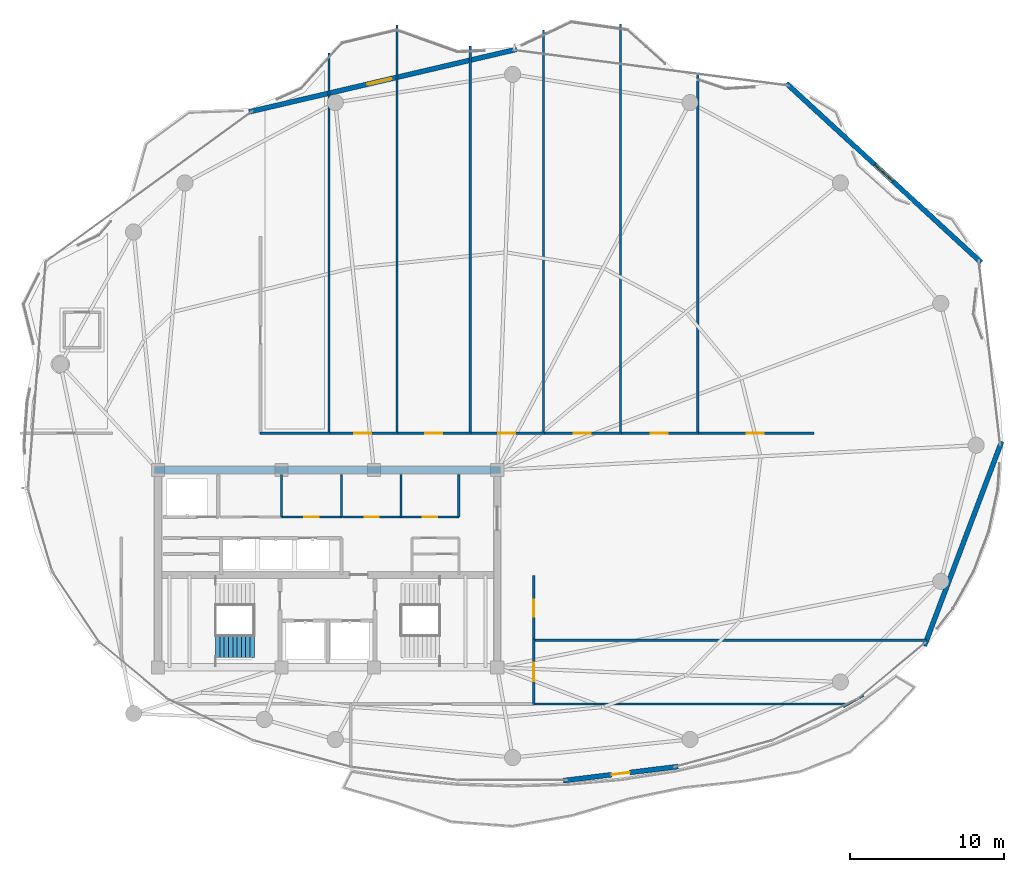
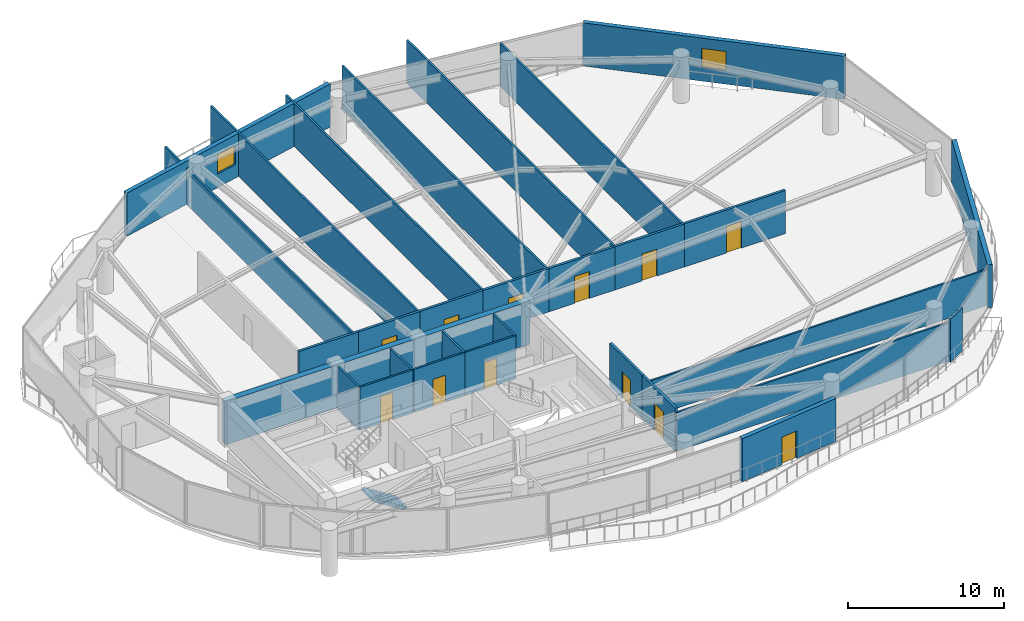
# One storey, part 26 of 30: 30 walls, 12 doors, 2 windows, 1 stair flight, 14 openings, 1 element without a shape of its own.
"""IFC4 building model written with IfcOpenShell, lengths in metres."""

from ifc_helpers import new_model, si_unit, direction, frame, frame_2d, origin, place, context, subcontext, project, spatial, polyline, rectangle, outline, extrude, material, layer, layer_set, type_object, element, fill, aggregate, save


model = new_model("IFC4")

# Units and contexts
model_context = context("Model", 3, precision=1e-05, world=origin(), true_north=direction((0.0, 1.0)))
body_context = subcontext(model_context, "Body", "Model", "MODEL_VIEW")
ifc_project = project(units=[si_unit("LENGTHUNIT", "METRE"), si_unit("AREAUNIT", "SQUARE_METRE"), si_unit("VOLUMEUNIT", "CUBIC_METRE"), si_unit("PLANEANGLEUNIT", "RADIAN"), si_unit("MASSUNIT", "GRAM", prefix="KILO")], contexts=[model_context])

# Site, building, storey
site_placement = place(None, origin())
site = spatial("IfcSite", under=ifc_project, at=site_placement, CompositionType="ELEMENT")
building_placement = place(site_placement, origin())
building = spatial("IfcBuilding", under=site, at=building_placement, Name="Kazevale Care Tower and Concert Hall", CompositionType="ELEMENT")
storey_placement = place(building_placement, frame((0.0, 0.0, 242.39990234375)))
storey = spatial("IfcBuildingStorey", under=building, at=storey_placement, Name="L64", CompositionType="ELEMENT", Elevation=242.39990234375)

# Wall, opening, door
ifc_material_1 = material(Name="Acoustic Gypsum on Steel Stud", Category="steel")
ifc_layer_1 = layer(ifc_material_1, 0.139892578125)
ifc_layer_set_1 = layer_set([ifc_layer_1], Name="Acoustic Gypsum on Steel Stud")
wall_type_1 = type_object("IfcWallType", Name="Acoustic Care & Suite Partition 140", PredefinedType="PARTITIONING", material=ifc_layer_set_1)
wall_1_placement = place(storey_placement, frame((30.0, 33.35009765625, 0.0), z_axis=(0.0, 0.0, 1.0), x_axis=(1.0, 0.0, 0.0)))
wall_1 = element("IfcWall", 1, at=wall_1_placement, inside=storey, type_object=wall_type_1, Name="wall:L64:c_rpl2_s", PredefinedType="PARTITIONING", context=body_context, shape_type="SweptSolid", body=[
    extrude(rectangle(XDim=3.919921875, YDim=0.139892578125, at=frame_2d((1.9599609375, 0.0))), origin(), (0.0, 0.0, 1.0), 3.360107421875),
])
opening_1_placement = place(wall_1_placement, frame((1.5, 0.0, 0.0)))
opening_1 = element("IfcOpeningElement", 2, at=opening_1_placement, cuts=wall_1, Name="Opening ID-900", PredefinedType="OPENING", context=body_context, shape_type="SweptSolid", body=[
    extrude(rectangle(XDim=0.919921875, YDim=2.10009765625, at=frame_2d((0.4599609375, 1.050048828125))), frame((0.0, 0.079833984375, 0.0), z_axis=(0.0, -1.0, 0.0), x_axis=(1.0, 0.0, 0.0)), (0.0, 0.0, 1.0), 0.159912109375),
])
ifc_material_2 = material(Name="Oak Timber Fire Leaf", Category="wood")
door_type_1 = type_object("IfcDoorType", Name="Bathroom & Service Door 920x2100", OperationType="NOTDEFINED", PredefinedType="DOOR", material=ifc_material_2)
door_1_placement = place(opening_1_placement, origin())
door_1 = element("IfcDoor", 3, at=door_1_placement, inside=storey, type_object=door_type_1, Name="door:L64:d_rpl2", OperationType="SINGLE_SWING_RIGHT", OverallHeight=2.10009765625, OverallWidth=0.919921875, PredefinedType="DOOR", context=body_context, shape_type="SweptSolid", body=[
    extrude(rectangle(XDim=0.919921875, YDim=2.10009765625, at=frame_2d((0.4599609375, 1.050048828125))), frame((0.0, 0.02490234375, 0.0), z_axis=(0.0, -1.0, 0.0), x_axis=(1.0, 0.0, 0.0)), (0.0, 0.0, 1.0), 0.050048828125),
])
fill(opening_1, door_1)

# Walls
for number, where, z_axis, x_axis, name in (
    (4, (30.0, 33.35009765625, 0.0), (0.0, 0.0, 1.0), (0.0, 1.0, 0.0), "wall:L64:c_rpl_m"),
    (5, (33.89990234375, 33.35009765625, 0.0), (0.0, 0.0, 1.0), (0.0, 1.0, 0.0), "wall:L64:c_rpl_e"),
):
    element("IfcWall", number, at=place(storey_placement, frame(where, z_axis=z_axis, x_axis=x_axis)), inside=storey, type_object=wall_type_1, Name=name, PredefinedType="PARTITIONING", context=body_context, shape_type="SweptSolid", body=[
        extrude(rectangle(XDim=2.75, YDim=0.139892578125, at=frame_2d((1.375, 0.0))), origin(), (0.0, 0.0, 1.0), 3.360107421875),
    ])

# Wall, opening, door
wall_2_placement = place(storey_placement, frame((33.97998046875, 33.35009765625, 0.0), z_axis=(0.0, 0.0, 1.0), x_axis=(1.0, 0.0, 0.0)))
wall_2 = element("IfcWall", 6, at=wall_2_placement, inside=storey, type_object=wall_type_1, Name="wall:L64:c_rpm1_s", PredefinedType="PARTITIONING", context=body_context, shape_type="SweptSolid", body=[
    extrude(rectangle(XDim=3.77001953125, YDim=0.139892578125, at=frame_2d((1.885009765625, 0.0))), origin(), (0.0, 0.0, 1.0), 3.360107421875),
])
opening_2_placement = place(wall_2_placement, frame((1.425048828125, 0.0, 0.0)))
opening_2 = element("IfcOpeningElement", 7, at=opening_2_placement, cuts=wall_2, Name="Opening ID-900", PredefinedType="OPENING", context=body_context, shape_type="SweptSolid", body=[
    extrude(rectangle(XDim=0.919921875, YDim=2.10009765625, at=frame_2d((0.4599609375, 1.050048828125))), frame((0.0, 0.079833984375, 0.0), z_axis=(0.0, -1.0, 0.0), x_axis=(1.0, 0.0, 0.0)), (0.0, 0.0, 1.0), 0.159912109375),
])
door_2_placement = place(opening_2_placement, origin())
door_2 = element("IfcDoor", 8, at=door_2_placement, inside=storey, type_object=door_type_1, Name="door:L64:d_rpm1", OperationType="SINGLE_SWING_LEFT", OverallHeight=2.10009765625, OverallWidth=0.919921875, PredefinedType="DOOR", context=body_context, shape_type="SweptSolid", body=[
    extrude(rectangle(XDim=0.919921875, YDim=2.10009765625, at=frame_2d((0.4599609375, 1.050048828125))), frame((0.0, 0.02490234375, 0.0), z_axis=(0.0, -1.0, 0.0), x_axis=(1.0, 0.0, 0.0)), (0.0, 0.0, 1.0), 0.050048828125),
])
fill(opening_2, door_2)

wall_3_placement = place(storey_placement, frame((37.75, 33.35009765625, 0.0), z_axis=(0.0, 0.0, 1.0), x_axis=(1.0, 0.0, 0.0)))
wall_3 = element("IfcWall", 9, at=wall_3_placement, inside=storey, type_object=wall_type_1, Name="wall:L64:c_rpm2_s", PredefinedType="PARTITIONING", context=body_context, shape_type="SweptSolid", body=[
    extrude(rectangle(XDim=3.77001953125, YDim=0.139892578125, at=frame_2d((1.885009765625, 0.0))), origin(), (0.0, 0.0, 1.0), 3.360107421875),
])
opening_3_placement = place(wall_3_placement, frame((1.425048828125, 0.0, 0.0)))
opening_3 = element("IfcOpeningElement", 10, at=opening_3_placement, cuts=wall_3, Name="Opening ID-900", PredefinedType="OPENING", context=body_context, shape_type="SweptSolid", body=[
    extrude(rectangle(XDim=0.919921875, YDim=2.10009765625, at=frame_2d((0.4599609375, 1.050048828125))), frame((0.0, 0.079833984375, 0.0), z_axis=(0.0, -1.0, 0.0), x_axis=(1.0, 0.0, 0.0)), (0.0, 0.0, 1.0), 0.159912109375),
])
door_3_placement = place(opening_3_placement, origin())
door_3 = element("IfcDoor", 11, at=door_3_placement, inside=storey, type_object=door_type_1, Name="door:L64:d_rpm2", OperationType="SINGLE_SWING_RIGHT", OverallHeight=2.10009765625, OverallWidth=0.919921875, PredefinedType="DOOR", context=body_context, shape_type="SweptSolid", body=[
    extrude(rectangle(XDim=0.919921875, YDim=2.10009765625, at=frame_2d((0.4599609375, 1.050048828125))), frame((0.0, 0.02490234375, 0.0), z_axis=(0.0, -1.0, 0.0), x_axis=(1.0, 0.0, 0.0)), (0.0, 0.0, 1.0), 0.050048828125),
])
fill(opening_3, door_3)

# Walls
for number, where, z_axis, x_axis, name in (
    (12, (37.75, 33.35009765625, 0.0), (0.0, 0.0, 1.0), (0.0, 1.0, 0.0), "wall:L64:c_rpm_m"),
    (13, (41.5, 33.35009765625, 0.0), (0.0, 0.0, 1.0), (0.0, 1.0, 0.0), "wall:L64:c_rpm_e"),
):
    element("IfcWall", number, at=place(storey_placement, frame(where, z_axis=z_axis, x_axis=x_axis)), inside=storey, type_object=wall_type_1, Name=name, PredefinedType="PARTITIONING", context=body_context, shape_type="SweptSolid", body=[
        extrude(rectangle(XDim=2.75, YDim=0.139892578125, at=frame_2d((1.375, 0.0))), origin(), (0.0, 0.0, 1.0), 3.360107421875),
    ])
wall_4_placement = place(storey_placement, frame((33.080078125, 63.444091796875, 0.0), z_axis=(0.0, 0.0, 1.0), x_axis=(0.0, -1.0, 0.0)))
element("IfcWall", 14, at=wall_4_placement, inside=storey, type_object=wall_type_1, Name="wall:L64:auto_015", PredefinedType="PARTITIONING", context=body_context, shape_type="SweptSolid", body=[
    extrude(rectangle(XDim=24.698974609375, YDim=0.139892578125, at=frame_2d((12.349609375, 0.0))), origin(), (0.0, 0.0, 1.0), 2.80615234375),
])
wall_5_placement = place(storey_placement, frame((37.5, 65.239013671875, 0.0), z_axis=(0.0, 0.0, 1.0), x_axis=(0.0, -1.0, 0.0)))
element("IfcWall", 15, at=wall_5_placement, inside=storey, type_object=wall_type_1, Name="wall:L64:auto_016", PredefinedType="PARTITIONING", context=body_context, shape_type="SweptSolid", body=[
    extrude(rectangle(XDim=26.493896484375, YDim=0.139892578125, at=frame_2d((13.2470703125, 0.0))), origin(), (0.0, 0.0, 1.0), 3.360107421875),
])
wall_6_placement = place(storey_placement, frame((42.25, 63.875, 0.0), z_axis=(0.0, 0.0, 1.0), x_axis=(0.0, -1.0, 0.0)))
element("IfcWall", 16, at=wall_6_placement, inside=storey, type_object=wall_type_1, Name="wall:L64:auto_017", PredefinedType="PARTITIONING", context=body_context, shape_type="SweptSolid", body=[
    extrude(rectangle(XDim=25.1298828125, YDim=0.139892578125, at=frame_2d((12.56494140625, 0.0))), origin(), (0.0, 0.0, 1.0), 3.360107421875),
])
wall_7_placement = place(storey_placement, frame((47.0, 64.9208984375, 0.0), z_axis=(0.0, 0.0, 1.0), x_axis=(0.0, -1.0, 0.0)))
element("IfcWall", 17, at=wall_7_placement, inside=storey, type_object=wall_type_1, Name="wall:L64:auto_018", PredefinedType="PARTITIONING", context=body_context, shape_type="SweptSolid", body=[
    extrude(rectangle(XDim=26.17578125, YDim=0.139892578125, at=frame_2d((13.087890625, 0.0))), origin(), (0.0, 0.0, 1.0), 3.360107421875),
])
wall_8_placement = place(storey_placement, frame((52.0, 65.323974609375, 0.0), z_axis=(0.0, 0.0, 1.0), x_axis=(0.0, -1.0, 0.0)))
element("IfcWall", 18, at=wall_8_placement, inside=storey, type_object=wall_type_1, Name="wall:L64:auto_019", PredefinedType="PARTITIONING", context=body_context, shape_type="SweptSolid", body=[
    extrude(rectangle(XDim=26.578857421875, YDim=0.139892578125, at=frame_2d((13.28955078125, 0.0))), origin(), (0.0, 0.0, 1.0), 3.360107421875),
])
wall_9_placement = place(storey_placement, frame((57.0, 62.0390625, 0.0), z_axis=(0.0, 0.0, 1.0), x_axis=(0.0, -1.0, 0.0)))
element("IfcWall", 19, at=wall_9_placement, inside=storey, type_object=wall_type_1, Name="wall:L64:auto_020", PredefinedType="PARTITIONING", context=body_context, shape_type="SweptSolid", body=[
    extrude(rectangle(XDim=23.2939453125, YDim=0.139892578125, at=frame_2d((11.64697265625, 0.0))), origin(), (0.0, 0.0, 1.0), 3.360107421875),
])
wall_10_placement = place(storey_placement, frame((46.344970703125, 25.360107421875, 0.0), z_axis=(0.0, 0.0, 1.0), x_axis=(1.0, 0.0, 0.0)))
element("IfcWall", 20, at=wall_10_placement, inside=storey, type_object=wall_type_1, Name="wall:L64:auto_021", PredefinedType="PARTITIONING", context=body_context, shape_type="SweptSolid", body=[
    extrude(rectangle(XDim=25.486083984375, YDim=0.139892578125, at=frame_2d((12.7431640625, 0.0))), origin(), (0.0, 0.0, 1.0), 2.80615234375),
])
wall_11_placement = place(storey_placement, frame((66.683837890625, 21.22509765625, 0.0), z_axis=(0.0, 0.0, 1.0), x_axis=(-1.0, 0.0, 0.0)))
element("IfcWall", 21, at=wall_11_placement, inside=storey, type_object=wall_type_1, Name="wall:L64:auto_022", PredefinedType="PARTITIONING", context=body_context, shape_type="SweptSolid", body=[
    extrude(rectangle(XDim=20.3388671875, YDim=0.139892578125, at=frame_2d((10.16943359375, 0.0))), origin(), (0.0, 0.0, 1.0), 2.99609375),
])
wall_12_placement = place(storey_placement, frame((67.748046875, 21.77001953125, 0.0), z_axis=(0.0, 0.0, 1.0), x_axis=(-0.871352238731, -0.490658003153, 0.0)))
element("IfcWall", 22, at=wall_12_placement, inside=storey, type_object=wall_type_1, Name="wall:L64:auto_023", PredefinedType="PARTITIONING", context=body_context, shape_type="SweptSolid", body=[
    extrude(rectangle(XDim=1.48974609375, YDim=0.139892578125, at=frame_2d((0.744873046875, 0.0))), origin(), (0.0, 0.0, 1.0), 3.360107421875),
])
ifc_material_3 = material(Name="Concrete C50", Category="concrete")
ifc_layer_2 = layer(ifc_material_3, 0.449951171875)
ifc_layer_set_2 = layer_set([ifc_layer_2], Name="Concrete C50")
wall_type_2 = type_object("IfcWallType", Name="Core Shear Wall 450 C50", PredefinedType="SHEAR", material=ifc_layer_set_2)
wall_13_placement = place(storey_placement, frame((21.77490234375, 36.39990234375, 0.0), z_axis=(0.0, 0.0, 1.0), x_axis=(1.0, 0.0, 0.0)))
element("IfcWall", 23, at=wall_13_placement, inside=storey, type_object=wall_type_2, Name="wall:L64:core:N", PredefinedType="SHEAR", context=body_context, shape_type="SweptSolid", body=[
    extrude(rectangle(XDim=22.4501953125, YDim=0.449951171875, at=frame_2d((11.22509765625, 0.0))), origin(), (0.0, 0.0, 1.0), 3.360107421875),
])
ifc_material_4 = material(Name="Concrete C40 and Acoustic Gypsum", Category="concrete")
ifc_layer_3 = layer(ifc_material_4, 0.179931640625)
ifc_layer_set_3 = layer_set([ifc_layer_3], Name="Concrete C40 and Acoustic Gypsum")
wall_type_3 = type_object("IfcWallType", Name="Fire-Rated Corridor & Party Wall 180", PredefinedType="PARTITIONING", material=ifc_layer_set_3)
wall_14_placement = place(storey_placement, frame((28.6201171875, 38.77490234375, 0.0), z_axis=(0.0, 0.0, 1.0), x_axis=(1.0, 0.0, 0.0)))
element("IfcWall", 24, at=wall_14_placement, inside=storey, type_object=wall_type_3, Name="wall:L64:auto_003", PredefinedType="PARTITIONING", context=body_context, shape_type="SweptSolid", body=[
    extrude(rectangle(XDim=4.52490234375, YDim=0.179931640625, at=frame_2d((2.262451171875, 0.0))), origin(), (0.0, 0.0, 1.0), 3.360107421875),
])

# Wall, opening, door
wall_15_placement = place(storey_placement, frame((33.014892578125, 38.77490234375, 0.0), z_axis=(0.0, 0.0, 1.0), x_axis=(1.0, 0.0, 0.0)))
wall_15 = element("IfcWall", 25, at=wall_15_placement, inside=storey, type_object=wall_type_3, Name="wall:L64:auto_004", PredefinedType="PARTITIONING", context=body_context, shape_type="SweptSolid", body=[
    extrude(rectangle(XDim=4.550048828125, YDim=0.179931640625, at=frame_2d((2.27490234375, 0.0))), origin(), (0.0, 0.0, 1.0), 3.360107421875),
])
opening_4_placement = place(wall_15_placement, frame((1.72509765625, 0.0, 0.0)))
opening_4 = element("IfcOpeningElement", 26, at=opening_4_placement, cuts=wall_15, Name="Opening ID-1100", PredefinedType="OPENING", context=body_context, shape_type="SweptSolid", body=[
    extrude(rectangle(XDim=1.10009765625, YDim=2.10009765625, at=frame_2d((0.550048828125, 1.050048828125))), frame((0.0, 0.099853515625, 0.0), z_axis=(0.0, -1.0, 0.0), x_axis=(1.0, 0.0, 0.0)), (0.0, 0.0, 1.0), 0.199951171875),
])
door_type_2 = type_object("IfcDoorType", Name="Care Bedroom Accessible Door 1100x2100", OperationType="NOTDEFINED", PredefinedType="DOOR", material=ifc_material_2)
door_4_placement = place(opening_4_placement, origin())
door_4 = element("IfcDoor", 27, at=door_4_placement, inside=storey, type_object=door_type_2, Name="door:L64:ad_004", OperationType="SINGLE_SWING_LEFT", OverallHeight=2.10009765625, OverallWidth=1.10009765625, PredefinedType="DOOR", context=body_context, shape_type="SweptSolid", body=[
    extrude(rectangle(XDim=1.10009765625, YDim=2.10009765625, at=frame_2d((0.550048828125, 1.050048828125))), frame((0.0, 0.02490234375, 0.0), z_axis=(0.0, -1.0, 0.0), x_axis=(1.0, 0.0, 0.0)), (0.0, 0.0, 1.0), 0.050048828125),
])
fill(opening_4, door_4)

wall_16_placement = place(storey_placement, frame((37.43505859375, 38.77490234375, 0.0), z_axis=(0.0, 0.0, 1.0), x_axis=(1.0, 0.0, 0.0)))
wall_16 = element("IfcWall", 28, at=wall_16_placement, inside=storey, type_object=wall_type_3, Name="wall:L64:auto_005", PredefinedType="PARTITIONING", context=body_context, shape_type="SweptSolid", body=[
    extrude(rectangle(XDim=4.8798828125, YDim=0.179931640625, at=frame_2d((2.43994140625, 0.0))), origin(), (0.0, 0.0, 1.0), 3.360107421875),
])
opening_5_placement = place(wall_16_placement, frame((1.889892578125, 0.0, 0.0)))
opening_5 = element("IfcOpeningElement", 29, at=opening_5_placement, cuts=wall_16, Name="Opening ID-1100", PredefinedType="OPENING", context=body_context, shape_type="SweptSolid", body=[
    extrude(rectangle(XDim=1.10009765625, YDim=2.10009765625, at=frame_2d((0.550048828125, 1.050048828125))), frame((0.0, 0.099853515625, 0.0), z_axis=(0.0, -1.0, 0.0), x_axis=(1.0, 0.0, 0.0)), (0.0, 0.0, 1.0), 0.199951171875),
])
door_5_placement = place(opening_5_placement, origin())
door_5 = element("IfcDoor", 30, at=door_5_placement, inside=storey, type_object=door_type_2, Name="door:L64:ad_005", OperationType="SINGLE_SWING_LEFT", OverallHeight=2.10009765625, OverallWidth=1.10009765625, PredefinedType="DOOR", context=body_context, shape_type="SweptSolid", body=[
    extrude(rectangle(XDim=1.10009765625, YDim=2.10009765625, at=frame_2d((0.550048828125, 1.050048828125))), frame((0.0, 0.02490234375, 0.0), z_axis=(0.0, -1.0, 0.0), x_axis=(1.0, 0.0, 0.0)), (0.0, 0.0, 1.0), 0.050048828125),
])
fill(opening_5, door_5)

wall_17_placement = place(storey_placement, frame((42.18505859375, 38.77490234375, 0.0), z_axis=(0.0, 0.0, 1.0), x_axis=(1.0, 0.0, 0.0)))
wall_17 = element("IfcWall", 31, at=wall_17_placement, inside=storey, type_object=wall_type_3, Name="wall:L64:auto_006", PredefinedType="PARTITIONING", context=body_context, shape_type="SweptSolid", body=[
    extrude(rectangle(XDim=4.8798828125, YDim=0.179931640625, at=frame_2d((2.43994140625, 0.0))), origin(), (0.0, 0.0, 1.0), 3.360107421875),
])
opening_6_placement = place(wall_17_placement, frame((1.889892578125, 0.0, 0.0)))
opening_6 = element("IfcOpeningElement", 32, at=opening_6_placement, cuts=wall_17, Name="Opening ID-1100", PredefinedType="OPENING", context=body_context, shape_type="SweptSolid", body=[
    extrude(rectangle(XDim=1.10009765625, YDim=2.10009765625, at=frame_2d((0.550048828125, 1.050048828125))), frame((0.0, 0.099853515625, 0.0), z_axis=(0.0, -1.0, 0.0), x_axis=(1.0, 0.0, 0.0)), (0.0, 0.0, 1.0), 0.199951171875),
])
door_6_placement = place(opening_6_placement, origin())
door_6 = element("IfcDoor", 33, at=door_6_placement, inside=storey, type_object=door_type_2, Name="door:L64:ad_006", OperationType="SINGLE_SWING_LEFT", OverallHeight=2.10009765625, OverallWidth=1.10009765625, PredefinedType="DOOR", context=body_context, shape_type="SweptSolid", body=[
    extrude(rectangle(XDim=1.10009765625, YDim=2.10009765625, at=frame_2d((0.550048828125, 1.050048828125))), frame((0.0, 0.02490234375, 0.0), z_axis=(0.0, -1.0, 0.0), x_axis=(1.0, 0.0, 0.0)), (0.0, 0.0, 1.0), 0.050048828125),
])
fill(opening_6, door_6)

wall_18_placement = place(storey_placement, frame((46.93505859375, 38.77490234375, 0.0), z_axis=(0.0, 0.0, 1.0), x_axis=(1.0, 0.0, 0.0)))
wall_18 = element("IfcWall", 34, at=wall_18_placement, inside=storey, type_object=wall_type_3, Name="wall:L64:auto_007", PredefinedType="PARTITIONING", context=body_context, shape_type="SweptSolid", body=[
    extrude(rectangle(XDim=5.1298828125, YDim=0.179931640625, at=frame_2d((2.56494140625, 0.0))), origin(), (0.0, 0.0, 1.0), 3.360107421875),
])
opening_7_placement = place(wall_18_placement, frame((2.014892578125, 0.0, 0.0)))
opening_7 = element("IfcOpeningElement", 35, at=opening_7_placement, cuts=wall_18, Name="Opening ID-1100", PredefinedType="OPENING", context=body_context, shape_type="SweptSolid", body=[
    extrude(rectangle(XDim=1.10009765625, YDim=2.10009765625, at=frame_2d((0.550048828125, 1.050048828125))), frame((0.0, 0.099853515625, 0.0), z_axis=(0.0, -1.0, 0.0), x_axis=(1.0, 0.0, 0.0)), (0.0, 0.0, 1.0), 0.199951171875),
])
door_7_placement = place(opening_7_placement, origin())
door_7 = element("IfcDoor", 36, at=door_7_placement, inside=storey, type_object=door_type_2, Name="door:L64:ad_007", OperationType="SINGLE_SWING_LEFT", OverallHeight=2.10009765625, OverallWidth=1.10009765625, PredefinedType="DOOR", context=body_context, shape_type="SweptSolid", body=[
    extrude(rectangle(XDim=1.10009765625, YDim=2.10009765625, at=frame_2d((0.550048828125, 1.050048828125))), frame((0.0, 0.02490234375, 0.0), z_axis=(0.0, -1.0, 0.0), x_axis=(1.0, 0.0, 0.0)), (0.0, 0.0, 1.0), 0.050048828125),
])
fill(opening_7, door_7)

wall_19_placement = place(storey_placement, frame((51.93505859375, 38.77490234375, 0.0), z_axis=(0.0, 0.0, 1.0), x_axis=(1.0, 0.0, 0.0)))
wall_19 = element("IfcWall", 37, at=wall_19_placement, inside=storey, type_object=wall_type_3, Name="wall:L64:auto_008", PredefinedType="PARTITIONING", context=body_context, shape_type="SweptSolid", body=[
    extrude(rectangle(XDim=5.1298828125, YDim=0.179931640625, at=frame_2d((2.56494140625, 0.0))), origin(), (0.0, 0.0, 1.0), 3.360107421875),
])
opening_8_placement = place(wall_19_placement, frame((2.014892578125, 0.0, 0.0)))
opening_8 = element("IfcOpeningElement", 38, at=opening_8_placement, cuts=wall_19, Name="Opening ID-1100", PredefinedType="OPENING", context=body_context, shape_type="SweptSolid", body=[
    extrude(rectangle(XDim=1.10009765625, YDim=2.10009765625, at=frame_2d((0.550048828125, 1.050048828125))), frame((0.0, 0.099853515625, 0.0), z_axis=(0.0, -1.0, 0.0), x_axis=(1.0, 0.0, 0.0)), (0.0, 0.0, 1.0), 0.199951171875),
])
door_8_placement = place(opening_8_placement, origin())
door_8 = element("IfcDoor", 39, at=door_8_placement, inside=storey, type_object=door_type_2, Name="door:L64:ad_008", OperationType="SINGLE_SWING_LEFT", OverallHeight=2.10009765625, OverallWidth=1.10009765625, PredefinedType="DOOR", context=body_context, shape_type="SweptSolid", body=[
    extrude(rectangle(XDim=1.10009765625, YDim=2.10009765625, at=frame_2d((0.550048828125, 1.050048828125))), frame((0.0, 0.02490234375, 0.0), z_axis=(0.0, -1.0, 0.0), x_axis=(1.0, 0.0, 0.0)), (0.0, 0.0, 1.0), 0.050048828125),
])
fill(opening_8, door_8)

wall_20_placement = place(storey_placement, frame((56.93505859375, 38.77490234375, 0.0), z_axis=(0.0, 0.0, 1.0), x_axis=(1.0, 0.0, 0.0)))
wall_20 = element("IfcWall", 40, at=wall_20_placement, inside=storey, type_object=wall_type_3, Name="wall:L64:auto_009", PredefinedType="PARTITIONING", context=body_context, shape_type="SweptSolid", body=[
    extrude(rectangle(XDim=7.594970703125, YDim=0.179931640625, at=frame_2d((3.79736328125, 0.0))), origin(), (0.0, 0.0, 1.0), 3.360107421875),
])
opening_9_placement = place(wall_20_placement, frame((3.2470703125, 0.0, 0.0)))
opening_9 = element("IfcOpeningElement", 41, at=opening_9_placement, cuts=wall_20, Name="Opening ID-1100", PredefinedType="OPENING", context=body_context, shape_type="SweptSolid", body=[
    extrude(rectangle(XDim=1.10009765625, YDim=2.10009765625, at=frame_2d((0.550048828125, 1.050048828125))), frame((0.0, 0.099853515625, 0.0), z_axis=(0.0, -1.0, 0.0), x_axis=(1.0, 0.0, 0.0)), (0.0, 0.0, 1.0), 0.199951171875),
])
door_9_placement = place(opening_9_placement, origin())
door_9 = element("IfcDoor", 42, at=door_9_placement, inside=storey, type_object=door_type_2, Name="door:L64:ad_009", OperationType="SINGLE_SWING_LEFT", OverallHeight=2.10009765625, OverallWidth=1.10009765625, PredefinedType="DOOR", context=body_context, shape_type="SweptSolid", body=[
    extrude(rectangle(XDim=1.10009765625, YDim=2.10009765625, at=frame_2d((0.550048828125, 1.050048828125))), frame((0.0, 0.02490234375, 0.0), z_axis=(0.0, -1.0, 0.0), x_axis=(1.0, 0.0, 0.0)), (0.0, 0.0, 1.0), 0.050048828125),
])
fill(opening_9, door_9)

wall_21_placement = place(storey_placement, frame((46.375, 25.425048828125, 0.0), z_axis=(0.0, 0.0, 1.0), x_axis=(0.0, -1.0, 0.0)))
wall_21 = element("IfcWall", 43, at=wall_21_placement, inside=storey, type_object=wall_type_3, Name="wall:L64:auto_010", PredefinedType="PARTITIONING", context=body_context, shape_type="SweptSolid", body=[
    extrude(rectangle(XDim=4.22998046875, YDim=0.179931640625, at=frame_2d((2.114990234375, 0.0))), origin(), (0.0, 0.0, 1.0), 3.360107421875),
])
opening_10_placement = place(wall_21_placement, frame((1.514892578125, 0.0, 0.0)))
opening_10 = element("IfcOpeningElement", 44, at=opening_10_placement, cuts=wall_21, Name="Opening ID-1200", PredefinedType="OPENING", context=body_context, shape_type="SweptSolid", body=[
    extrude(rectangle(XDim=1.199951171875, YDim=2.14990234375, at=frame_2d((0.60009765625, 1.074951171875))), frame((0.0, 0.099853515625, 0.0), z_axis=(0.0, -1.0, 0.0), x_axis=(1.0, 0.0, 0.0)), (0.0, 0.0, 1.0), 0.199951171875),
])
door_type_3 = type_object("IfcDoorType", Name="Clinical & Therapy Door 1200x2150", OperationType="NOTDEFINED", PredefinedType="DOOR", material=ifc_material_2)
door_10_placement = place(opening_10_placement, origin())
door_10 = element("IfcDoor", 45, at=door_10_placement, inside=storey, type_object=door_type_3, Name="door:L64:ad_010", OperationType="SINGLE_SWING_LEFT", OverallHeight=2.14990234375, OverallWidth=1.199951171875, PredefinedType="DOOR", context=body_context, shape_type="SweptSolid", body=[
    extrude(rectangle(XDim=1.199951171875, YDim=2.14990234375, at=frame_2d((0.60009765625, 1.074951171875))), frame((0.0, 0.02490234375, 0.0), z_axis=(0.0, -1.0, 0.0), x_axis=(1.0, 0.0, 0.0)), (0.0, 0.0, 1.0), 0.050048828125),
])
fill(opening_10, door_10)

wall_22_placement = place(storey_placement, frame((46.375, 29.56494140625, 0.0), z_axis=(0.0, 0.0, 1.0), x_axis=(0.0, -1.0, 0.0)))
wall_22 = element("IfcWall", 46, at=wall_22_placement, inside=storey, type_object=wall_type_3, Name="wall:L64:auto_011", PredefinedType="PARTITIONING", context=body_context, shape_type="SweptSolid", body=[
    extrude(rectangle(XDim=4.27001953125, YDim=0.179931640625, at=frame_2d((2.135009765625, 0.0))), origin(), (0.0, 0.0, 1.0), 3.360107421875),
])
opening_11_placement = place(wall_22_placement, frame((1.5849609375, 0.0, 0.0)))
opening_11 = element("IfcOpeningElement", 47, at=opening_11_placement, cuts=wall_22, Name="Opening ID-1100", PredefinedType="OPENING", context=body_context, shape_type="SweptSolid", body=[
    extrude(rectangle(XDim=1.10009765625, YDim=2.10009765625, at=frame_2d((0.550048828125, 1.050048828125))), frame((0.0, 0.099853515625, 0.0), z_axis=(0.0, -1.0, 0.0), x_axis=(1.0, 0.0, 0.0)), (0.0, 0.0, 1.0), 0.199951171875),
])
door_11_placement = place(opening_11_placement, origin())
door_11 = element("IfcDoor", 48, at=door_11_placement, inside=storey, type_object=door_type_2, Name="door:L64:ad_011", OperationType="SINGLE_SWING_LEFT", OverallHeight=2.10009765625, OverallWidth=1.10009765625, PredefinedType="DOOR", context=body_context, shape_type="SweptSolid", body=[
    extrude(rectangle(XDim=1.10009765625, YDim=2.10009765625, at=frame_2d((0.550048828125, 1.050048828125))), frame((0.0, 0.02490234375, 0.0), z_axis=(0.0, -1.0, 0.0), x_axis=(1.0, 0.0, 0.0)), (0.0, 0.0, 1.0), 0.050048828125),
])
fill(opening_11, door_11)

# Wall
ifc_material_5 = material(Name="Concrete C40 with Honed Limestone Cladding", Category="masonry")
ifc_layer_4 = layer(ifc_material_5, 0.320068359375)
ifc_layer_set_4 = layer_set([ifc_layer_4], Name="Concrete C40 with Honed Limestone Cladding")
wall_type_4 = type_object("IfcWallType", Name="Tower Honed Limestone Spandrel Wall 320", PredefinedType="STANDARD", material=ifc_layer_set_4)
wall_23_placement = place(storey_placement, frame((76.7119140625, 38.242919921875, 0.0), z_axis=(0.0, 0.0, 1.0), x_axis=(-0.353659523244, -0.935374225441, 0.0)))
element("IfcWall", 49, at=wall_23_placement, inside=storey, type_object=wall_type_4, Name="wall:cw:L64:f01", PredefinedType="STANDARD", context=body_context, shape_type="SweptSolid", body=[
    extrude(rectangle(XDim=14.171630859375, YDim=0.320068359375, at=frame_2d((7.0859375, 0.0))), origin(), (0.0, 0.0, 1.0), 3.360107421875),
])

# Wall, opening, door
wall_24_placement = place(storey_placement, frame((55.72705078125, 17.1650390625, 0.0), z_axis=(0.0, 0.0, 1.0), x_axis=(-0.992559081031, -0.121763995755, 0.0)))
wall_24 = element("IfcWall", 50, at=wall_24_placement, inside=storey, type_object=wall_type_4, Name="wall:L64:bal_host", PredefinedType="STANDARD", context=body_context, shape_type="SweptSolid", body=[
    extrude(rectangle(XDim=7.49072265625, YDim=0.320068359375, at=frame_2d((3.745361328125, 0.0))), origin(), (0.0, 0.0, 1.0), 3.360107421875),
])
opening_12_placement = place(wall_24_placement, frame((3.14501953125, 0.0, 0.0)))
opening_12 = element("IfcOpeningElement", 51, at=opening_12_placement, cuts=wall_24, Name="Opening BD-1200", PredefinedType="OPENING", context=body_context, shape_type="SweptSolid", body=[
    extrude(rectangle(XDim=1.199951171875, YDim=2.14990234375, at=frame_2d((0.60009765625, 1.074951171875))), frame((0.0, 0.169921875, 0.0), z_axis=(0.0, -1.0, 0.0), x_axis=(1.0, 0.0, 0.0)), (0.0, 0.0, 1.0), 0.340087890625),
])
ifc_material_6 = material(Name="Aluminium 6063-T6 and Low-E Glass", Category="aluminium")
door_type_4 = type_object("IfcDoorType", Name="Sheltered Balcony Glazed Door 1200x2150", OperationType="NOTDEFINED", PredefinedType="DOOR", material=ifc_material_6)
door_12_placement = place(opening_12_placement, origin())
door_12 = element("IfcDoor", 52, at=door_12_placement, inside=storey, type_object=door_type_4, Name="door:L64:BD-1", OperationType="SINGLE_SWING_LEFT", OverallHeight=2.14990234375, OverallWidth=1.199951171875, PredefinedType="DOOR", context=body_context, shape_type="SweptSolid", body=[
    extrude(rectangle(XDim=1.199951171875, YDim=2.14990234375, at=frame_2d((0.60009765625, 1.074951171875))), frame((0.0, 0.02490234375, 0.0), z_axis=(0.0, -1.0, 0.0), x_axis=(1.0, 0.0, 0.0)), (0.0, 0.0, 1.0), 0.050048828125),
])
fill(opening_12, door_12)

# Wall, opening, window
wall_25_placement = place(storey_placement, frame((27.908935546875, 59.616943359375, 0.0), z_axis=(0.0, 0.0, 1.0), x_axis=(0.973753606594, 0.227604731158, 0.0)))
wall_25 = element("IfcWall", 53, at=wall_25_placement, inside=storey, type_object=wall_type_4, Name="wall:L64:cbox:15", PredefinedType="STANDARD", context=body_context, shape_type="SweptSolid", body=[
    extrude(rectangle(XDim=17.816650390625, YDim=0.320068359375, at=frame_2d((8.908203125, 0.0))), origin(), (0.0, 0.0, 1.0), 3.360107421875),
])
opening_13_placement = place(wall_25_placement, frame((7.888916015625, 0.0, 1.050048828125)))
opening_13 = element("IfcOpeningElement", 54, at=opening_13_placement, cuts=wall_25, Name="Opening WIN-1", PredefinedType="OPENING", context=body_context, shape_type="SweptSolid", body=[
    extrude(rectangle(XDim=1.60009765625, YDim=1.5, at=frame_2d((0.800048828125, 0.75))), frame((0.0, 0.169921875, 0.0), z_axis=(0.0, -1.0, 0.0), x_axis=(1.0, 0.0, 0.0)), (0.0, 0.0, 1.0), 0.340087890625),
])
ifc_material_7 = material(Name="Low-E Laminated Glass", Category="glass")
window_type = type_object("IfcWindowType", Name="Convex Box Deep-Set Window 1600x1500", PartitioningType="DOUBLE_PANEL_VERTICAL", PredefinedType="WINDOW", material=ifc_material_7)
window_1_placement = place(opening_13_placement, origin())
window_1 = element("IfcWindow", 55, at=window_1_placement, inside=storey, type_object=window_type, Name="win:L64:cbox:15", OverallHeight=1.5, OverallWidth=1.60009765625, PartitioningType="SINGLE_PANEL", PredefinedType="WINDOW", context=body_context, shape_type="SweptSolid", body=[
    extrude(rectangle(XDim=1.60009765625, YDim=1.5, at=frame_2d((0.800048828125, 0.75))), frame((0.0, 0.030029296875, 0.0), z_axis=(0.0, -1.0, 0.0), x_axis=(1.0, 0.0, 0.0)), (0.0, 0.0, 1.0), 0.06005859375),
])
fill(opening_13, window_1)

wall_26_placement = place(storey_placement, frame((62.7509765625, 61.462890625, 0.0), z_axis=(0.0, 0.0, 1.0), x_axis=(0.736063690764, -0.676912286149, 0.0)))
wall_26 = element("IfcWall", 56, at=wall_26_placement, inside=storey, type_object=wall_type_4, Name="wall:L64:cbox:17", PredefinedType="STANDARD", context=body_context, shape_type="SweptSolid", body=[
    extrude(rectangle(XDim=17.16162109375, YDim=0.320068359375, at=frame_2d((8.580810546875, 0.0))), origin(), (0.0, 0.0, 1.0), 3.360107421875),
])
opening_14_placement = place(wall_26_placement, frame((7.781005859375, 0.0, 1.050048828125)))
opening_14 = element("IfcOpeningElement", 57, at=opening_14_placement, cuts=wall_26, Name="Opening WIN-1", PredefinedType="OPENING", context=body_context, shape_type="SweptSolid", body=[
    extrude(rectangle(XDim=1.60009765625, YDim=1.5, at=frame_2d((0.800048828125, 0.75))), frame((0.0, 0.169921875, 0.0), z_axis=(0.0, -1.0, 0.0), x_axis=(1.0, 0.0, 0.0)), (0.0, 0.0, 1.0), 0.340087890625),
])
window_2_placement = place(opening_14_placement, origin())
window_2 = element("IfcWindow", 58, at=window_2_placement, inside=storey, type_object=window_type, Name="win:L64:cbox:17", OverallHeight=1.5, OverallWidth=1.60009765625, PartitioningType="SINGLE_PANEL", PredefinedType="WINDOW", context=body_context, shape_type="SweptSolid", body=[
    extrude(rectangle(XDim=1.60009765625, YDim=1.5, at=frame_2d((0.800048828125, 0.75))), frame((0.0, 0.030029296875, 0.0), z_axis=(0.0, -1.0, 0.0), x_axis=(1.0, 0.0, 0.0)), (0.0, 0.0, 1.0), 0.06005859375),
])
fill(opening_14, window_2)

# Stair, stair flight
ifc_material_8 = material(Name="Concrete C40", Category="concrete")
stair_type = type_object("IfcStairType", Name="Exit Stair Assembly ST1-Z3", PredefinedType="HALF_TURN_STAIR", material=ifc_material_8)
stair_placement = place(storey_placement, origin())
stair = element("IfcStair", 59, at=stair_placement, inside=storey, type_object=stair_type, Name="stair:L64:ST1", PredefinedType="HALF_TURN_STAIR")
ifc_layer_5 = layer(ifc_material_8, 0.159912109375)
ifc_layer_set_5 = layer_set([ifc_layer_5], Name="Concrete C40")
stair_flight_type = type_object("IfcStairFlightType", Name="Exit Stair Flight ST1-Z3", PredefinedType="STRAIGHT", material=ifc_layer_set_5)
stair_flight_placement = place(storey_placement, frame((28.25, 24.97509765625, 0.0), z_axis=(0.0, 0.0, 1.0), x_axis=(-1.0, 0.0, 0.0)))
stair_flight = element("IfcStairFlight", 60, at=stair_flight_placement, type_object=stair_flight_type, Name="ST1-Z3 flight 1", NumberOfRisers=10, NumberOfTreads=9, PredefinedType="STRAIGHT", RiserHeight=0.18, TreadLength=0.28, context=body_context, shape_type="SweptSolid", body=[
    extrude(outline(polyline([(0.0, 0.0), (0.0, 0.179931640625), (0.280029296875, 0.179931640625), (0.280029296875, 0.360107421875), (0.56005859375, 0.360107421875), (0.56005859375, 0.5400390625), (0.840087890625, 0.5400390625), (0.840087890625, 0.719970703125), (1.1201171875, 0.719970703125), (1.1201171875, 0.89990234375), (1.39990234375, 0.89990234375), (1.39990234375, 1.080078125), (1.679931640625, 1.080078125), (1.679931640625, 1.260009765625), (1.9599609375, 1.260009765625), (1.9599609375, 1.43994140625), (2.239990234375, 1.43994140625), (2.239990234375, 1.6201171875), (2.52001953125, 1.6201171875), (2.52001953125, 1.800048828125), (2.52001953125, 1.429931640625), (0.295654296875, 0.0), (0.0, 0.0)])), frame((0.0, 0.72509765625, 0.0), z_axis=(0.0, -1.0, 0.0), x_axis=(1.0, 0.0, 0.0)), (0.0, 0.0, 1.0), 1.449951171875),
])
aggregate(stair, [stair_flight])

save(model, "model.ifc")
